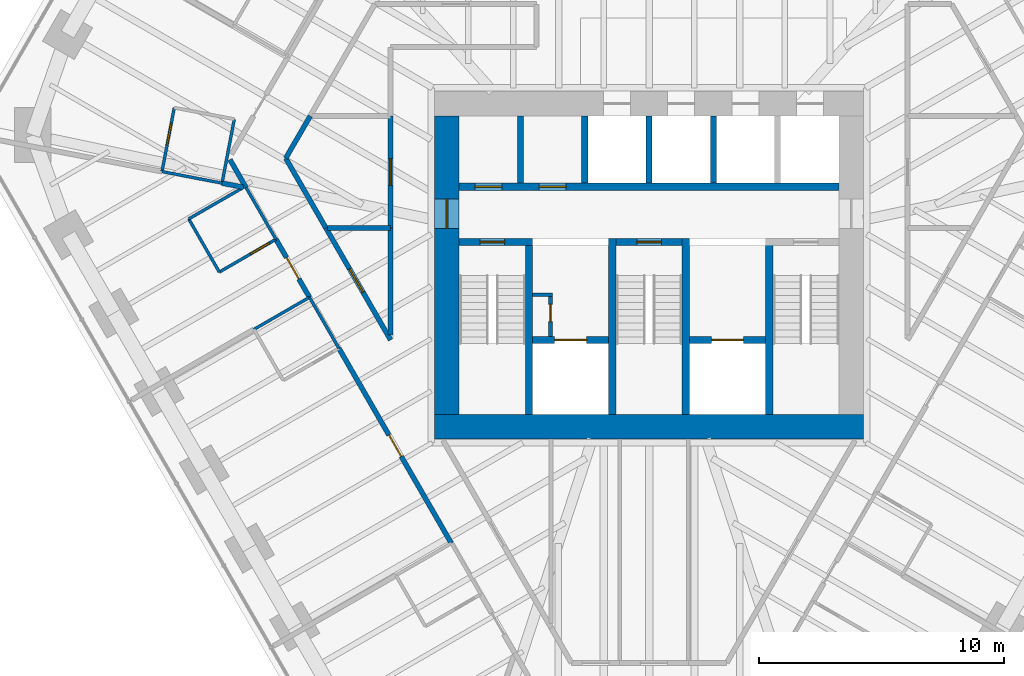
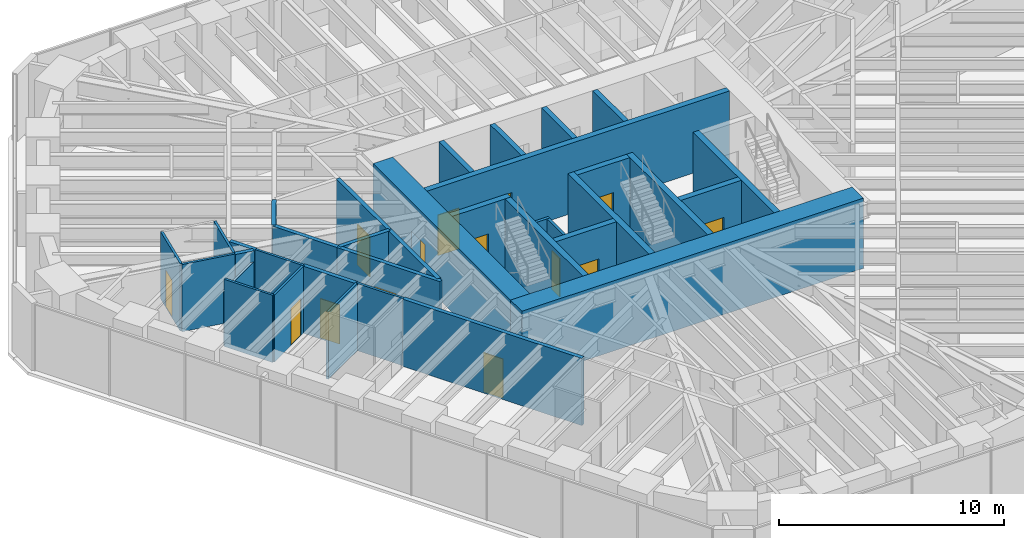
# One storey, part 12 of 17: 36 walls, 14 doors, 14 openings.
"""IFC4 building model written with IfcOpenShell, lengths in metres."""

from ifc_helpers import new_model, si_unit, direction, frame, frame_2d, origin, place, context, subcontext, project, spatial, rectangle, extrude, material, layer, layer_set, type_object, element, fill, save


model = new_model("IFC4")

# Units and contexts
model_context = context("Model", 3, precision=1e-05, world=origin(), true_north=direction((0.0, 1.0)))
body_context = subcontext(model_context, "Body", "Model", "MODEL_VIEW")
ifc_project = project(units=[si_unit("LENGTHUNIT", "METRE"), si_unit("AREAUNIT", "SQUARE_METRE"), si_unit("VOLUMEUNIT", "CUBIC_METRE"), si_unit("PLANEANGLEUNIT", "RADIAN"), si_unit("MASSUNIT", "GRAM", prefix="KILO")], contexts=[model_context])

# Site, building, storey
site_placement = place(None, origin())
site = spatial("IfcSite", under=ifc_project, at=site_placement, CompositionType="ELEMENT")
building_placement = place(site_placement, origin())
building = spatial("IfcBuilding", under=site, at=building_placement, Name="Sandreach Pilgrim Tower", CompositionType="ELEMENT")
storey_placement = place(building_placement, frame((0.0, 0.0, 213.60009765625)))
storey = spatial("IfcBuildingStorey", under=building, at=storey_placement, Name="L53", CompositionType="ELEMENT", Elevation=213.60009765625)

# Wall
ifc_material_1 = material(Name="Moisture-resistant gypsum board on steel studs", Category="steel")
ifc_layer_1 = layer(ifc_material_1, 0.1201171875)
ifc_layer_set_1 = layer_set([ifc_layer_1], Name="Bathroom partition 120")
wall_type_1 = type_object("IfcWallType", Name="Bathroom partition 120", PredefinedType="PARTITIONING", material=ifc_layer_set_1)
wall_1_placement = place(storey_placement, frame((-19.88134765625, 3.82275390625, 0.0), z_axis=(0.0, 0.0, 1.0), x_axis=(0.981896775229, -0.189416796496, 0.0)))
element("IfcWall", 1, at=wall_1_placement, inside=storey, type_object=wall_type_1, Name="Bathroom partition L53-003", PredefinedType="PARTITIONING", context=body_context, shape_type="SweptSolid", body=[
    extrude(rectangle(XDim=2.49658203125, YDim=0.1201171875, at=frame_2d((1.248291015625, 0.0))), origin(), (0.0, 0.0, 1.0), 3.639892578125),
])

# Wall, opening, door
wall_2_placement = place(storey_placement, frame((-19.3798828125, 6.429931640625, 0.0), z_axis=(0.0, 0.0, 1.0), x_axis=(-0.18885765444, -0.982004473696, 0.0)))
wall_2 = element("IfcWall", 2, at=wall_2_placement, inside=storey, type_object=wall_type_1, Name="Bathroom partition L53-004", PredefinedType="PARTITIONING", context=body_context, shape_type="SweptSolid", body=[
    extrude(rectangle(XDim=2.6474609375, YDim=0.1201171875, at=frame_2d((1.32373046875, 0.0))), origin(), (0.0, 0.0, 1.0), 3.639892578125),
])
opening_1_placement = place(wall_2_placement, frame((0.64990234375, 0.0, 0.0)))
opening_1 = element("IfcOpeningElement", 3, at=opening_1_placement, cuts=wall_2, Name="Opening D09-18B", PredefinedType="OPENING", context=body_context, shape_type="SweptSolid", body=[
    extrude(rectangle(XDim=0.89990234375, YDim=2.030029296875, at=frame_2d((0.449951171875, 1.01513671875))), frame((0.0, 0.06005859375, 0.0), z_axis=(0.0, -1.0, 0.0), x_axis=(1.0, 0.0, 0.0)), (0.0, 0.0, 1.0), 0.1201171875),
])
ifc_material_2 = material(Name="Timber door, steel frame", Category="steel")
door_type_1 = type_object("IfcDoorType", Name="Bathroom door", OperationType="SINGLE_SWING_LEFT", PredefinedType="DOOR", material=ifc_material_2)
door_1_placement = place(opening_1_placement, origin())
door_1 = element("IfcDoor", 4, at=door_1_placement, inside=storey, type_object=door_type_1, Name="Door 5318B", OperationType="SINGLE_SWING_LEFT", OverallHeight=2.030029296875, OverallWidth=0.89990234375, PredefinedType="DOOR", context=body_context, shape_type="SweptSolid", body=[
    extrude(rectangle(XDim=0.89990234375, YDim=2.030029296875, at=frame_2d((0.449951171875, 1.01513671875))), frame((0.0, 0.02490234375, 0.0), z_axis=(0.0, -1.0, 0.0), x_axis=(1.0, 0.0, 0.0)), (0.0, 0.0, 1.0), 0.050048828125),
])
fill(opening_1, door_1)

# Wall
wall_3_placement = place(storey_placement, frame((-18.7900390625, 1.889892578125, 0.0), z_axis=(0.0, 0.0, 1.0), x_axis=(0.499159685399, -0.866510016372, 0.0)))
element("IfcWall", 5, at=wall_3_placement, inside=storey, type_object=wall_type_1, Name="Bathroom partition L53-005", PredefinedType="PARTITIONING", context=body_context, shape_type="SweptSolid", body=[
    extrude(rectangle(XDim=2.504150390625, YDim=0.1201171875, at=frame_2d((1.251953125, 0.0))), origin(), (0.0, 0.0, 1.0), 3.639892578125),
])

# Wall, opening, door
wall_4_placement = place(storey_placement, frame((-17.5400390625, -0.280029296875, 0.0), z_axis=(0.0, 0.0, 1.0), x_axis=(0.86498992408, 0.501789229896, 0.0)))
wall_4 = element("IfcWall", 6, at=wall_4_placement, inside=storey, type_object=wall_type_1, Name="Bathroom partition L53-006", PredefinedType="PARTITIONING", context=body_context, shape_type="SweptSolid", body=[
    extrude(rectangle(XDim=2.670654296875, YDim=0.1201171875, at=frame_2d((1.33544921875, 0.0))), origin(), (0.0, 0.0, 1.0), 3.639892578125),
])
opening_2_placement = place(wall_4_placement, frame((1.470458984375, 0.0, 0.0)))
opening_2 = element("IfcOpeningElement", 7, at=opening_2_placement, cuts=wall_4, Name="Opening D09-17B", PredefinedType="OPENING", context=body_context, shape_type="SweptSolid", body=[
    extrude(rectangle(XDim=0.89990234375, YDim=2.030029296875, at=frame_2d((0.449951171875, 1.01513671875))), frame((0.0, 0.06005859375, 0.0), z_axis=(0.0, -1.0, 0.0), x_axis=(1.0, 0.0, 0.0)), (0.0, 0.0, 1.0), 0.1201171875),
])
door_2_placement = place(opening_2_placement, origin())
door_2 = element("IfcDoor", 8, at=door_2_placement, inside=storey, type_object=door_type_1, Name="Door 5317B", OperationType="SINGLE_SWING_RIGHT", OverallHeight=2.030029296875, OverallWidth=0.89990234375, PredefinedType="DOOR", context=body_context, shape_type="SweptSolid", body=[
    extrude(rectangle(XDim=0.89990234375, YDim=2.030029296875, at=frame_2d((0.449951171875, 1.01513671875))), frame((0.0, 0.02490234375, 0.0), z_axis=(0.0, -1.0, 0.0), x_axis=(1.0, 0.0, 0.0)), (0.0, 0.0, 1.0), 0.050048828125),
])
fill(opening_2, door_2)

# Walls
wall_5_placement = place(storey_placement, frame((-17.429931640625, 3.35009765625, 0.0), z_axis=(0.0, 0.0, 1.0), x_axis=(0.188159009227, 0.982138578433, 0.0)))
element("IfcWall", 9, at=wall_5_placement, inside=storey, type_object=wall_type_1, Name="Bathroom partition L53-007", PredefinedType="PARTITIONING", context=body_context, shape_type="SweptSolid", body=[
    extrude(rectangle(XDim=2.6572265625, YDim=0.1201171875, at=frame_2d((1.32861328125, 0.0))), origin(), (0.0, 0.0, 1.0), 3.639892578125),
])
wall_6_placement = place(storey_placement, frame((-16.623779296875, 3.1376953125, 0.0), z_axis=(0.0, 0.0, 1.0), x_axis=(-0.866525185869, -0.499133351175, 0.0)))
element("IfcWall", 10, at=wall_6_placement, inside=storey, type_object=wall_type_1, Name="Bathroom partition L53-013", PredefinedType="PARTITIONING", context=body_context, shape_type="SweptSolid", body=[
    extrude(rectangle(XDim=2.5, YDim=0.1201171875, at=frame_2d((1.25, 0.0))), origin(), (0.0, 0.0, 1.0), 3.037841796875),
])
wall_7_placement = place(storey_placement, frame((-16.449951171875, 3.169921875, 0.0), z_axis=(0.0, 0.0, 1.0), x_axis=(0.500566296323, -0.865698205488, 0.0)))
element("IfcWall", 11, at=wall_7_placement, inside=storey, type_object=wall_type_1, Name="Bathroom partition L53-014", PredefinedType="PARTITIONING", context=body_context, shape_type="SweptSolid", body=[
    extrude(rectangle(XDim=2.437255859375, YDim=0.1201171875, at=frame_2d((1.21875, 0.0))), origin(), (0.0, 0.0, 1.0), 3.639892578125),
])
wall_8_placement = place(storey_placement, frame((-16.1298828125, -2.6201171875, 0.0), z_axis=(0.0, 0.0, 1.0), x_axis=(0.866114241029, 0.499846097802, 0.0)))
element("IfcWall", 12, at=wall_8_placement, inside=storey, type_object=wall_type_1, Name="Bathroom partition L53-016", PredefinedType="PARTITIONING", context=body_context, shape_type="SweptSolid", body=[
    extrude(rectangle(XDim=2.620849609375, YDim=0.1201171875, at=frame_2d((1.310546875, 0.0))), origin(), (0.0, 0.0, 1.0), 3.639892578125),
])
wall_9_placement = place(storey_placement, frame((-13.860107421875, -1.31005859375, 0.0), z_axis=(0.0, 0.0, 1.0), x_axis=(0.499813401482, -0.866133109688, 0.0)))
element("IfcWall", 13, at=wall_9_placement, inside=storey, type_object=wall_type_1, Name="Bathroom partition L53-026", PredefinedType="PARTITIONING", context=body_context, shape_type="SweptSolid", body=[
    extrude(rectangle(XDim=2.4013671875, YDim=0.1201171875, at=frame_2d((1.20068359375, 0.0))), origin(), (0.0, 0.0, 1.0), 3.639892578125),
])
ifc_material_3 = material(Name="Concrete 10000 psi", Category="concrete")
ifc_layer_2 = layer(ifc_material_3, 0.300048828125)
ifc_layer_set_2 = layer_set([ifc_layer_2], Name="Core inner wall 300")
wall_type_2 = type_object("IfcWallType", Name="Core inner wall 300", PredefinedType="SHEAR", material=ifc_layer_set_2)
for number, where, z_axis, x_axis, name in (
    (14, (-4.89990234375, -6.10009765625, 0.0), (0.0, 0.0, 1.0), (0.0, 1.0, 0.0), "Core wall I0 L53"),
    (15, (-1.5, -6.10009765625, 0.0), (0.0, 0.0, 1.0), (0.0, 1.0, 0.0), "Core wall I1 L53"),
    (16, (1.5, -6.10009765625, 0.0), (0.0, 0.0, 1.0), (0.0, 1.0, 0.0), "Core wall I2 L53"),
    (17, (4.89990234375, -6.10009765625, 0.0), (0.0, 0.0, 1.0), (0.0, 1.0, 0.0), "Core wall I3 L53"),
):
    element("IfcWall", number, at=place(storey_placement, frame(where, z_axis=z_axis, x_axis=x_axis)), inside=storey, type_object=wall_type_2, Name=name, PredefinedType="SHEAR", context=body_context, shape_type="SweptSolid", body=[
        extrude(rectangle(XDim=7.2001953125, YDim=0.300048828125, at=frame_2d((3.60009765625, 0.0))), origin(), (0.0, 0.0, 1.0), 3.7998046875),
    ])

# Wall, opening, door
wall_10_placement = place(storey_placement, frame((-7.75, 0.949951171875, 0.0), z_axis=(0.0, 0.0, 1.0), x_axis=(1.0, 0.0, 0.0)))
wall_10 = element("IfcWall", 18, at=wall_10_placement, inside=storey, type_object=wall_type_2, Name="Core wall SN1 L53", PredefinedType="SHEAR", context=body_context, shape_type="SweptSolid", body=[
    extrude(rectangle(XDim=3.0, YDim=0.300048828125, at=frame_2d((1.5, 0.0))), origin(), (0.0, 0.0, 1.0), 3.7998046875),
])
opening_3_placement = place(wall_10_placement, frame((0.85009765625, 0.0, 0.0)))
opening_3 = element("IfcOpeningElement", 19, at=opening_3_placement, cuts=wall_10, Name="Opening D10S-ST1", PredefinedType="OPENING", context=body_context, shape_type="SweptSolid", body=[
    extrude(rectangle(XDim=1.0, YDim=2.199951171875, at=frame_2d((0.5, 1.10009765625))), frame((0.0, 0.14990234375, 0.0), z_axis=(0.0, -1.0, 0.0), x_axis=(1.0, 0.0, 0.0)), (0.0, 0.0, 1.0), 0.300048828125),
])
ifc_material_4 = material(Name="Steel door and frame", Category="steel")
door_type_2 = type_object("IfcDoorType", Name="Stair door", OperationType="SINGLE_SWING_LEFT", PredefinedType="DOOR", material=ifc_material_4)
door_3_placement = place(opening_3_placement, origin())
door_3 = element("IfcDoor", 20, at=door_3_placement, inside=storey, type_object=door_type_2, Name="Stair door ST1 L53", OperationType="SINGLE_SWING_LEFT", OverallHeight=2.199951171875, OverallWidth=1.0, PredefinedType="DOOR", context=body_context, shape_type="SweptSolid", body=[
    extrude(rectangle(XDim=1.0, YDim=2.199951171875, at=frame_2d((0.5, 1.10009765625))), frame((0.0, 0.02490234375, 0.0), z_axis=(0.0, -1.0, 0.0), x_axis=(1.0, 0.0, 0.0)), (0.0, 0.0, 1.0), 0.050048828125),
])
fill(opening_3, door_3)

wall_11_placement = place(storey_placement, frame((-1.35009765625, 0.949951171875, 0.0), z_axis=(0.0, 0.0, 1.0), x_axis=(1.0, 0.0, 0.0)))
wall_11 = element("IfcWall", 21, at=wall_11_placement, inside=storey, type_object=wall_type_2, Name="Core wall SN3 L53", PredefinedType="SHEAR", context=body_context, shape_type="SweptSolid", body=[
    extrude(rectangle(XDim=2.7001953125, YDim=0.300048828125, at=frame_2d((1.35009765625, 0.0))), origin(), (0.0, 0.0, 1.0), 3.7998046875),
])
opening_4_placement = place(wall_11_placement, frame((0.85009765625, 0.0, 0.0)))
opening_4 = element("IfcOpeningElement", 22, at=opening_4_placement, cuts=wall_11, Name="Opening D10S-ST3", PredefinedType="OPENING", context=body_context, shape_type="SweptSolid", body=[
    extrude(rectangle(XDim=1.0, YDim=2.199951171875, at=frame_2d((0.5, 1.10009765625))), frame((0.0, 0.14990234375, 0.0), z_axis=(0.0, -1.0, 0.0), x_axis=(1.0, 0.0, 0.0)), (0.0, 0.0, 1.0), 0.300048828125),
])
door_4_placement = place(opening_4_placement, origin())
door_4 = element("IfcDoor", 23, at=door_4_placement, inside=storey, type_object=door_type_2, Name="Stair door ST3 L53", OperationType="SINGLE_SWING_LEFT", OverallHeight=2.199951171875, OverallWidth=1.0, PredefinedType="DOOR", context=body_context, shape_type="SweptSolid", body=[
    extrude(rectangle(XDim=1.0, YDim=2.199951171875, at=frame_2d((0.5, 1.10009765625))), frame((0.0, 0.02490234375, 0.0), z_axis=(0.0, -1.0, 0.0), x_axis=(1.0, 0.0, 0.0)), (0.0, 0.0, 1.0), 0.050048828125),
])
fill(opening_4, door_4)

wall_12_placement = place(storey_placement, frame((-4.75, -3.050048828125, 0.0), z_axis=(0.0, 0.0, 1.0), x_axis=(1.0, 0.0, 0.0)))
wall_12 = element("IfcWall", 24, at=wall_12_placement, inside=storey, type_object=wall_type_2, Name="Core wall FL1 L53", PredefinedType="SHEAR", context=body_context, shape_type="SweptSolid", body=[
    extrude(rectangle(XDim=3.10009765625, YDim=0.300048828125, at=frame_2d((1.550048828125, 0.0))), origin(), (0.0, 0.0, 1.0), 3.7998046875),
])
opening_5_placement = place(wall_12_placement, frame((0.89990234375, 0.0, 0.0)))
opening_5 = element("IfcOpeningElement", 25, at=opening_5_placement, cuts=wall_12, Name="Opening LD13", PredefinedType="OPENING", context=body_context, shape_type="SweptSolid", body=[
    extrude(rectangle(XDim=1.300048828125, YDim=2.10009765625, at=frame_2d((0.64990234375, 1.050048828125))), frame((0.0, 0.14990234375, 0.0), z_axis=(0.0, -1.0, 0.0), x_axis=(1.0, 0.0, 0.0)), (0.0, 0.0, 1.0), 0.300048828125),
])
ifc_material_5 = material(Name="Steel door and frame", Category="steel")
door_type_3 = type_object("IfcDoorType", Name="Fire service lift landing door", OperationType="DOUBLE_DOOR_SLIDING", PredefinedType="DOOR", material=ifc_material_5)
door_5_placement = place(opening_5_placement, origin())
door_5 = element("IfcDoor", 26, at=door_5_placement, inside=storey, type_object=door_type_3, Name="Lift landing door FS1 L53", OperationType="DOUBLE_DOOR_SLIDING", OverallHeight=2.10009765625, OverallWidth=1.300048828125, PredefinedType="DOOR", context=body_context, shape_type="SweptSolid", body=[
    extrude(rectangle(XDim=1.300048828125, YDim=2.10009765625, at=frame_2d((0.64990234375, 1.050048828125))), frame((0.0, 0.02490234375, 0.0), z_axis=(0.0, -1.0, 0.0), x_axis=(1.0, 0.0, 0.0)), (0.0, 0.0, 1.0), 0.050048828125),
])
fill(opening_5, door_5)

wall_13_placement = place(storey_placement, frame((1.64990234375, -3.050048828125, 0.0), z_axis=(0.0, 0.0, 1.0), x_axis=(1.0, 0.0, 0.0)))
wall_13 = element("IfcWall", 27, at=wall_13_placement, inside=storey, type_object=wall_type_2, Name="Core wall FL2 L53", PredefinedType="SHEAR", context=body_context, shape_type="SweptSolid", body=[
    extrude(rectangle(XDim=3.10009765625, YDim=0.300048828125, at=frame_2d((1.550048828125, 0.0))), origin(), (0.0, 0.0, 1.0), 3.7998046875),
])
opening_6_placement = place(wall_13_placement, frame((0.89990234375, 0.0, 0.0)))
opening_6 = element("IfcOpeningElement", 28, at=opening_6_placement, cuts=wall_13, Name="Opening LD13", PredefinedType="OPENING", context=body_context, shape_type="SweptSolid", body=[
    extrude(rectangle(XDim=1.300048828125, YDim=2.10009765625, at=frame_2d((0.64990234375, 1.050048828125))), frame((0.0, 0.14990234375, 0.0), z_axis=(0.0, -1.0, 0.0), x_axis=(1.0, 0.0, 0.0)), (0.0, 0.0, 1.0), 0.300048828125),
])
door_6_placement = place(opening_6_placement, origin())
door_6 = element("IfcDoor", 29, at=door_6_placement, inside=storey, type_object=door_type_3, Name="Lift landing door FS2 L53", OperationType="DOUBLE_DOOR_SLIDING", OverallHeight=2.10009765625, OverallWidth=1.300048828125, PredefinedType="DOOR", context=body_context, shape_type="SweptSolid", body=[
    extrude(rectangle(XDim=1.300048828125, YDim=2.10009765625, at=frame_2d((0.64990234375, 1.050048828125))), frame((0.0, 0.02490234375, 0.0), z_axis=(0.0, -1.0, 0.0), x_axis=(1.0, 0.0, 0.0)), (0.0, 0.0, 1.0), 0.050048828125),
])
fill(opening_6, door_6)

# Wall, openings, doors
wall_14_placement = place(storey_placement, frame((-7.75, 3.199951171875, 0.0), z_axis=(0.0, 0.0, 1.0), x_axis=(1.0, 0.0, 0.0)))
wall_14 = element("IfcWall", 30, at=wall_14_placement, inside=storey, type_object=wall_type_2, Name="Core wall PN L53", PredefinedType="SHEAR", context=body_context, shape_type="SweptSolid", body=[
    extrude(rectangle(XDim=15.5, YDim=0.300048828125, at=frame_2d((7.75, 0.0))), origin(), (0.0, 0.0, 1.0), 3.7998046875),
])
opening_7_placement = place(wall_14_placement, frame((0.637451171875, 0.0, 0.0)))
opening_7 = element("IfcOpeningElement", 31, at=opening_7_placement, cuts=wall_14, Name="Opening D11L", PredefinedType="OPENING", context=body_context, shape_type="SweptSolid", body=[
    extrude(rectangle(XDim=1.10009765625, YDim=2.199951171875, at=frame_2d((0.550048828125, 1.10009765625))), frame((0.0, 0.14990234375, 0.0), z_axis=(0.0, -1.0, 0.0), x_axis=(1.0, 0.0, 0.0)), (0.0, 0.0, 1.0), 0.300048828125),
])
opening_8_placement = place(wall_14_placement, frame((3.262451171875, 0.0, 0.0)))
opening_8 = element("IfcOpeningElement", 32, at=opening_8_placement, cuts=wall_14, Name="Opening D11L", PredefinedType="OPENING", context=body_context, shape_type="SweptSolid", body=[
    extrude(rectangle(XDim=1.10009765625, YDim=2.199951171875, at=frame_2d((0.550048828125, 1.10009765625))), frame((0.0, 0.14990234375, 0.0), z_axis=(0.0, -1.0, 0.0), x_axis=(1.0, 0.0, 0.0)), (0.0, 0.0, 1.0), 0.300048828125),
])
ifc_material_6 = material(Name="Steel door and frame, smoke seals", Category="steel")
door_type_4 = type_object("IfcDoorType", Name="Core room door", OperationType="SINGLE_SWING_LEFT", PredefinedType="DOOR", material=ifc_material_6)
door_7_placement = place(opening_7_placement, origin())
door_7 = element("IfcDoor", 33, at=door_7_placement, inside=storey, type_object=door_type_4, Name="Door guest pantry 53K1", OperationType="SINGLE_SWING_LEFT", OverallHeight=2.199951171875, OverallWidth=1.10009765625, PredefinedType="DOOR", context=body_context, shape_type="SweptSolid", body=[
    extrude(rectangle(XDim=1.10009765625, YDim=2.199951171875, at=frame_2d((0.550048828125, 1.10009765625))), frame((0.0, 0.02490234375, 0.0), z_axis=(0.0, -1.0, 0.0), x_axis=(1.0, 0.0, 0.0)), (0.0, 0.0, 1.0), 0.050048828125),
])
fill(opening_7, door_7)
door_8_placement = place(opening_8_placement, origin())
door_8 = element("IfcDoor", 34, at=door_8_placement, inside=storey, type_object=door_type_4, Name="Door it room 53K2", OperationType="SINGLE_SWING_LEFT", OverallHeight=2.199951171875, OverallWidth=1.10009765625, PredefinedType="DOOR", context=body_context, shape_type="SweptSolid", body=[
    extrude(rectangle(XDim=1.10009765625, YDim=2.199951171875, at=frame_2d((0.550048828125, 1.10009765625))), frame((0.0, 0.02490234375, 0.0), z_axis=(0.0, -1.0, 0.0), x_axis=(1.0, 0.0, 0.0)), (0.0, 0.0, 1.0), 0.050048828125),
])
fill(opening_8, door_8)

# Wall
ifc_material_7 = material(Name="Concrete 10000 psi", Category="concrete")
ifc_layer_3 = layer(ifc_material_7, 1.0)
ifc_layer_set_3 = layer_set([ifc_layer_3], Name="Core wall 1000")
wall_type_3 = type_object("IfcWallType", Name="Core wall 1000", PredefinedType="SHEAR", material=ifc_layer_set_3)
wall_15_placement = place(storey_placement, frame((-8.75, -6.60009765625, 0.0), z_axis=(0.0, 0.0, 1.0), x_axis=(1.0, 0.0, 0.0)))
element("IfcWall", 35, at=wall_15_placement, inside=storey, type_object=wall_type_3, Name="Core wall S L53", PredefinedType="SHEAR", context=body_context, shape_type="SweptSolid", body=[
    extrude(rectangle(XDim=17.5, YDim=1.0, at=frame_2d((8.75, 0.0))), origin(), (0.0, 0.0, 1.0), 3.7998046875),
])

# Wall, opening, door
wall_16_placement = place(storey_placement, frame((-8.25, -6.10009765625, 0.0), z_axis=(0.0, 0.0, 1.0), x_axis=(0.0, 1.0, 0.0)))
wall_16 = element("IfcWall", 36, at=wall_16_placement, inside=storey, type_object=wall_type_3, Name="Core wall W L53", PredefinedType="SHEAR", context=body_context, shape_type="SweptSolid", body=[
    extrude(rectangle(XDim=12.2001953125, YDim=1.0, at=frame_2d((6.10009765625, 0.0))), origin(), (0.0, 0.0, 1.0), 3.7998046875),
])
opening_9_placement = place(wall_16_placement, frame((7.60009765625, 0.0, 0.0)))
opening_9 = element("IfcOpeningElement", 37, at=opening_9_placement, cuts=wall_16, Name="Opening D12F-W", PredefinedType="OPENING", context=body_context, shape_type="SweptSolid", body=[
    extrude(rectangle(XDim=1.199951171875, YDim=2.199951171875, at=frame_2d((0.60009765625, 1.10009765625))), frame((0.0, 0.5, 0.0), z_axis=(0.0, -1.0, 0.0), x_axis=(1.0, 0.0, 0.0)), (0.0, 0.0, 1.0), 1.0),
])
ifc_material_8 = material(Name="Steel door and frame", Category="steel")
door_type_5 = type_object("IfcDoorType", Name="Fire lobby door", OperationType="SINGLE_SWING_LEFT", PredefinedType="DOOR", material=ifc_material_8)
door_9_placement = place(opening_9_placement, origin())
door_9 = element("IfcDoor", 38, at=door_9_placement, inside=storey, type_object=door_type_5, Name="Fire service lobby door W L53", OperationType="SINGLE_SWING_RIGHT", OverallHeight=2.199951171875, OverallWidth=1.199951171875, PredefinedType="DOOR", context=body_context, shape_type="SweptSolid", body=[
    extrude(rectangle(XDim=1.199951171875, YDim=2.199951171875, at=frame_2d((0.60009765625, 1.10009765625))), frame((0.0, 0.02490234375, 0.0), z_axis=(0.0, -1.0, 0.0), x_axis=(1.0, 0.0, 0.0)), (0.0, 0.0, 1.0), 0.050048828125),
])
fill(opening_9, door_9)

# Wall
ifc_material_9 = material(Name="Gypsum board on steel studs, two layers each side", Category="steel")
ifc_layer_4 = layer(ifc_material_9, 0.199951171875)
ifc_layer_set_4 = layer_set([ifc_layer_4], Name="Corridor wall 200")
wall_type_4 = type_object("IfcWallType", Name="Corridor wall 200", PredefinedType="PARTITIONING", material=ifc_layer_set_4)
wall_17_placement = place(storey_placement, frame((-17.107666015625, 4.313720703125, 0.0), z_axis=(0.0, 0.0, 1.0), x_axis=(0.498488506644, -0.866896307954, 0.0)))
element("IfcWall", 39, at=wall_17_placement, inside=storey, type_object=wall_type_4, Name="Corridor wall L53-009", PredefinedType="PARTITIONING", context=body_context, shape_type="SweptSolid", body=[
    extrude(rectangle(XDim=1.3193359375, YDim=0.199951171875, at=frame_2d((0.65966796875, 0.0))), origin(), (0.0, 0.0, 1.0), 3.639892578125),
])

# Wall, opening, door
wall_18_placement = place(storey_placement, frame((-15.22998046875, 1.06005859375, 0.0), z_axis=(0.0, 0.0, 1.0), x_axis=(0.500406860043, -0.865790375565, 0.0)))
wall_18 = element("IfcWall", 40, at=wall_18_placement, inside=storey, type_object=wall_type_4, Name="Corridor wall L53-019", PredefinedType="PARTITIONING", context=body_context, shape_type="SweptSolid", body=[
    extrude(rectangle(XDim=2.737548828125, YDim=0.199951171875, at=frame_2d((1.36865234375, 0.0))), origin(), (0.0, 0.0, 1.0), 3.639892578125),
])
opening_10_placement = place(wall_18_placement, frame((0.86865234375, 0.0, 0.0)))
opening_10 = element("IfcOpeningElement", 41, at=opening_10_placement, cuts=wall_18, Name="Opening D10-17", PredefinedType="OPENING", context=body_context, shape_type="SweptSolid", body=[
    extrude(rectangle(XDim=1.0, YDim=2.1298828125, at=frame_2d((0.5, 1.06494140625))), frame((0.0, 0.10009765625, 0.0), z_axis=(0.0, -1.0, 0.0), x_axis=(1.0, 0.0, 0.0)), (0.0, 0.0, 1.0), 0.199951171875),
])
ifc_material_10 = material(Name="Steel door and frame", Category="steel")
door_type_6 = type_object("IfcDoorType", Name="Guest room entry door", OperationType="SINGLE_SWING_LEFT", PredefinedType="DOOR", material=ifc_material_10)
door_10_placement = place(opening_10_placement, origin())
door_10 = element("IfcDoor", 42, at=door_10_placement, inside=storey, type_object=door_type_6, Name="Door 5317", OperationType="SINGLE_SWING_LEFT", OverallHeight=2.1298828125, OverallWidth=1.0, PredefinedType="DOOR", context=body_context, shape_type="SweptSolid", body=[
    extrude(rectangle(XDim=1.0, YDim=2.1298828125, at=frame_2d((0.5, 1.06494140625))), frame((0.0, 0.02490234375, 0.0), z_axis=(0.0, -1.0, 0.0), x_axis=(1.0, 0.0, 0.0)), (0.0, 0.0, 1.0), 0.050048828125),
])
fill(opening_10, door_10)

# Walls
wall_19_placement = place(storey_placement, frame((-14.830078125, 4.3701171875, 0.0), z_axis=(0.0, 0.0, 1.0), x_axis=(0.502626855825, 0.864503466623, 0.0)))
element("IfcWall", 43, at=wall_19_placement, inside=storey, type_object=wall_type_4, Name="Corridor wall L53-022", PredefinedType="PARTITIONING", context=body_context, shape_type="SweptSolid", body=[
    extrude(rectangle(XDim=1.989501953125, YDim=0.199951171875, at=frame_2d((0.99462890625, 0.0))), origin(), (0.0, 0.0, 1.0), 3.639892578125),
])
wall_20_placement = place(storey_placement, frame((-13.18994140625, 1.52001953125, 0.0), z_axis=(0.0, 0.0, 1.0), x_axis=(-0.498775186059, 0.866731396554, 0.0)))
element("IfcWall", 44, at=wall_20_placement, inside=storey, type_object=wall_type_4, Name="Corridor wall L53-030", PredefinedType="PARTITIONING", context=body_context, shape_type="SweptSolid", body=[
    extrude(rectangle(XDim=3.288330078125, YDim=0.199951171875, at=frame_2d((1.64404296875, 0.0))), origin(), (0.0, 0.0, 1.0), 3.639892578125),
])

# Wall, opening, door
wall_21_placement = place(storey_placement, frame((-12.659912109375, -3.389892578125, 0.0), z_axis=(0.0, 0.0, 1.0), x_axis=(0.499511590934, -0.866307203319, 0.0)))
wall_21 = element("IfcWall", 45, at=wall_21_placement, inside=storey, type_object=wall_type_4, Name="Corridor wall L53-031", PredefinedType="PARTITIONING", context=body_context, shape_type="SweptSolid", body=[
    extrude(rectangle(XDim=9.188720703125, YDim=0.199951171875, at=frame_2d((4.59423828125, 0.0))), origin(), (0.0, 0.0, 1.0), 3.639892578125),
])
opening_11_placement = place(wall_21_placement, frame((4.09423828125, 0.0, 0.0)))
opening_11 = element("IfcOpeningElement", 46, at=opening_11_placement, cuts=wall_21, Name="Opening D10-16", PredefinedType="OPENING", context=body_context, shape_type="SweptSolid", body=[
    extrude(rectangle(XDim=1.0, YDim=2.1298828125, at=frame_2d((0.5, 1.06494140625))), frame((0.0, 0.10009765625, 0.0), z_axis=(0.0, -1.0, 0.0), x_axis=(1.0, 0.0, 0.0)), (0.0, 0.0, 1.0), 0.199951171875),
])
door_11_placement = place(opening_11_placement, origin())
door_11 = element("IfcDoor", 47, at=door_11_placement, inside=storey, type_object=door_type_6, Name="Door 5316", OperationType="SINGLE_SWING_LEFT", OverallHeight=2.1298828125, OverallWidth=1.0, PredefinedType="DOOR", context=body_context, shape_type="SweptSolid", body=[
    extrude(rectangle(XDim=1.0, YDim=2.1298828125, at=frame_2d((0.5, 1.06494140625))), frame((0.0, 0.02490234375, 0.0), z_axis=(0.0, -1.0, 0.0), x_axis=(1.0, 0.0, 0.0)), (0.0, 0.0, 1.0), 0.050048828125),
])
fill(opening_11, door_11)

wall_22_placement = place(storey_placement, frame((-10.550048828125, -3.050048828125, 0.0), z_axis=(0.0, 0.0, 1.0), x_axis=(-0.500193590286, 0.865913605527, 0.0)))
wall_22 = element("IfcWall", 48, at=wall_22_placement, inside=storey, type_object=wall_type_4, Name="Corridor wall L53-036", PredefinedType="PARTITIONING", context=body_context, shape_type="SweptSolid", body=[
    extrude(rectangle(XDim=5.27783203125, YDim=0.199951171875, at=frame_2d((2.638916015625, 0.0))), origin(), (0.0, 0.0, 1.0), 3.639892578125),
])
opening_12_placement = place(wall_22_placement, frame((2.25, 0.0, 0.0)))
opening_12 = element("IfcOpeningElement", 49, at=opening_12_placement, cuts=wall_22, Name="Opening D11H-M02", PredefinedType="OPENING", context=body_context, shape_type="SweptSolid", body=[
    extrude(rectangle(XDim=1.10009765625, YDim=2.199951171875, at=frame_2d((0.550048828125, 1.10009765625))), frame((0.0, 0.10009765625, 0.0), z_axis=(0.0, -1.0, 0.0), x_axis=(1.0, 0.0, 0.0)), (0.0, 0.0, 1.0), 0.199951171875),
])
ifc_material_11 = material(Name="Steel door and frame", Category="steel")
door_type_7 = type_object("IfcDoorType", Name="Back of house door", OperationType="SINGLE_SWING_LEFT", PredefinedType="DOOR", material=ifc_material_11)
door_12_placement = place(opening_12_placement, origin())
door_12 = element("IfcDoor", 50, at=door_12_placement, inside=storey, type_object=door_type_7, Name="Door 53M02", OperationType="SINGLE_SWING_RIGHT", OverallHeight=2.199951171875, OverallWidth=1.10009765625, PredefinedType="DOOR", context=body_context, shape_type="SweptSolid", body=[
    extrude(rectangle(XDim=1.10009765625, YDim=2.199951171875, at=frame_2d((0.550048828125, 1.10009765625))), frame((0.0, 0.02490234375, 0.0), z_axis=(0.0, -1.0, 0.0), x_axis=(1.0, 0.0, 0.0)), (0.0, 0.0, 1.0), 0.050048828125),
])
fill(opening_12, door_12)

# Wall
wall_23_placement = place(storey_placement, frame((-10.550048828125, 1.52001953125, 0.0), z_axis=(0.0, 0.0, 1.0), x_axis=(0.0, -1.0, 0.0)))
element("IfcWall", 51, at=wall_23_placement, inside=storey, type_object=wall_type_4, Name="Corridor wall L53-037", PredefinedType="PARTITIONING", context=body_context, shape_type="SweptSolid", body=[
    extrude(rectangle(XDim=4.375, YDim=0.199951171875, at=frame_2d((2.1875, 0.0))), origin(), (0.0, 0.0, 1.0), 3.639892578125),
])

# Wall, opening, door
wall_24_placement = place(storey_placement, frame((-10.550048828125, 6.090087890625, 0.0), z_axis=(0.0, 0.0, 1.0), x_axis=(0.0, -1.0, 0.0)))
wall_24 = element("IfcWall", 52, at=wall_24_placement, inside=storey, type_object=wall_type_4, Name="Corridor wall L53-038", PredefinedType="PARTITIONING", context=body_context, shape_type="SweptSolid", body=[
    extrude(rectangle(XDim=4.570068359375, YDim=0.199951171875, at=frame_2d((2.28515625, 0.0))), origin(), (0.0, 0.0, 1.0), 3.639892578125),
])
opening_13_placement = place(wall_24_placement, frame((1.735107421875, 0.0, 0.0)))
opening_13 = element("IfcOpeningElement", 53, at=opening_13_placement, cuts=wall_24, Name="Opening D11H-M01", PredefinedType="OPENING", context=body_context, shape_type="SweptSolid", body=[
    extrude(rectangle(XDim=1.10009765625, YDim=2.199951171875, at=frame_2d((0.550048828125, 1.10009765625))), frame((0.0, 0.10009765625, 0.0), z_axis=(0.0, -1.0, 0.0), x_axis=(1.0, 0.0, 0.0)), (0.0, 0.0, 1.0), 0.199951171875),
])
door_13_placement = place(opening_13_placement, origin())
door_13 = element("IfcDoor", 54, at=door_13_placement, inside=storey, type_object=door_type_7, Name="Door 53M01", OperationType="SINGLE_SWING_LEFT", OverallHeight=2.199951171875, OverallWidth=1.10009765625, PredefinedType="DOOR", context=body_context, shape_type="SweptSolid", body=[
    extrude(rectangle(XDim=1.10009765625, YDim=2.199951171875, at=frame_2d((0.550048828125, 1.10009765625))), frame((0.0, 0.02490234375, 0.0), z_axis=(0.0, -1.0, 0.0), x_axis=(1.0, 0.0, 0.0)), (0.0, 0.0, 1.0), 0.050048828125),
])
fill(opening_13, door_13)

# Walls
ifc_material_12 = material(Name="Double steel stud acoustic wall, gypsum board", Category="steel")
ifc_layer_5 = layer(ifc_material_12, 0.199951171875)
ifc_layer_set_5 = layer_set([ifc_layer_5], Name="Party wall 200")
wall_type_5 = type_object("IfcWallType", Name="Party wall 200", PredefinedType="PARTITIONING", material=ifc_layer_set_5)
wall_25_placement = place(storey_placement, frame((-17.429931640625, 3.349853515625, 0.0), z_axis=(0.0, 0.0, 1.0), x_axis=(0.981858463983, -0.189615286052, 0.0)))
element("IfcWall", 55, at=wall_25_placement, inside=storey, type_object=wall_type_5, Name="Party wall L53-008", PredefinedType="PARTITIONING", context=body_context, shape_type="SweptSolid", body=[
    extrude(rectangle(XDim=0.896240234375, YDim=0.199951171875, at=frame_2d((0.4482421875, 0.0))), origin(), (0.0, 0.0, 1.0), 3.639892578125),
])
wall_26_placement = place(storey_placement, frame((-10.56005859375, 1.52001953125, 0.0), z_axis=(0.0, 0.0, 1.0), x_axis=(-1.0, 0.0, 0.0)))
element("IfcWall", 56, at=wall_26_placement, inside=storey, type_object=wall_type_5, Name="Party wall L53-035", PredefinedType="PARTITIONING", context=body_context, shape_type="SweptSolid", body=[
    extrude(rectangle(XDim=2.56005859375, YDim=0.199951171875, at=frame_2d((1.280029296875, 0.0))), origin(), (0.0, 0.0, 1.0), 3.639892578125),
])

# Wall, opening, door
ifc_material_13 = material(Name="Gypsum shaft wall on steel studs, shaft liner board", Category="steel")
ifc_layer_6 = layer(ifc_material_13, 0.14990234375)
ifc_layer_set_6 = layer_set([ifc_layer_6], Name="Riser shaft wall 150")
wall_type_6 = type_object("IfcWallType", Name="Riser shaft wall 150", PredefinedType="PARTITIONING", material=ifc_layer_set_6)
wall_27_placement = place(storey_placement, frame((-4.02490234375, -2.89990234375, 0.0), z_axis=(0.0, 0.0, 1.0), x_axis=(0.0, 1.0, 0.0)))
wall_27 = element("IfcWall", 57, at=wall_27_placement, inside=storey, type_object=wall_type_6, Name="Riser partition L53 side", PredefinedType="PARTITIONING", context=body_context, shape_type="SweptSolid", body=[
    extrude(rectangle(XDim=1.77490234375, YDim=0.14990234375, at=frame_2d((0.887451171875, 0.0))), origin(), (0.0, 0.0, 1.0), 3.639892578125),
])
opening_14_placement = place(wall_27_placement, frame((0.60009765625, 0.0, 0.0)))
opening_14 = element("IfcOpeningElement", 58, at=opening_14_placement, cuts=wall_27, Name="Opening D07R", PredefinedType="OPENING", context=body_context, shape_type="SweptSolid", body=[
    extrude(rectangle(XDim=0.699951171875, YDim=2.10009765625, at=frame_2d((0.35009765625, 1.050048828125))), frame((0.0, 0.074951171875, 0.0), z_axis=(0.0, -1.0, 0.0), x_axis=(1.0, 0.0, 0.0)), (0.0, 0.0, 1.0), 0.14990234375),
])
ifc_material_14 = material(Name="Steel door and frame, smoke seals", Category="steel")
door_type_8 = type_object("IfcDoorType", Name="Riser access door", OperationType="SINGLE_SWING_RIGHT", PredefinedType="DOOR", material=ifc_material_14)
door_14_placement = place(opening_14_placement, origin())
door_14 = element("IfcDoor", 59, at=door_14_placement, inside=storey, type_object=door_type_8, Name="Door riser 53ER", OperationType="SINGLE_SWING_RIGHT", OverallHeight=2.10009765625, OverallWidth=0.699951171875, PredefinedType="DOOR", context=body_context, shape_type="SweptSolid", body=[
    extrude(rectangle(XDim=0.699951171875, YDim=2.10009765625, at=frame_2d((0.35009765625, 1.050048828125))), frame((0.0, 0.02490234375, 0.0), z_axis=(0.0, -1.0, 0.0), x_axis=(1.0, 0.0, 0.0)), (0.0, 0.0, 1.0), 0.050048828125),
])
fill(opening_14, door_14)

# Walls
wall_28_placement = place(storey_placement, frame((-4.75, -1.199951171875, 0.0), z_axis=(0.0, 0.0, 1.0), x_axis=(1.0, 0.0, 0.0)))
element("IfcWall", 60, at=wall_28_placement, inside=storey, type_object=wall_type_6, Name="Riser partition L53 front", PredefinedType="PARTITIONING", context=body_context, shape_type="SweptSolid", body=[
    extrude(rectangle(XDim=0.800048828125, YDim=0.14990234375, at=frame_2d((0.39990234375, 0.0))), origin(), (0.0, 0.0, 1.0), 3.639892578125),
])
ifc_material_15 = material(Name="Gypsum shaft wall on steel studs, two layers of shaft liner board", Category="steel")
ifc_layer_7 = layer(ifc_material_15, 0.25)
ifc_layer_set_7 = layer_set([ifc_layer_7], Name="Shaft partition 250")
wall_type_7 = type_object("IfcWallType", Name="Shaft partition 250", PredefinedType="PARTITIONING", material=ifc_layer_set_7)
for number, where, z_axis, x_axis, name in (
    (61, (-5.25, 3.35009765625, 0.0), (0.0, 0.0, 1.0), (0.0, 1.0, 0.0), "Shaft partition NS0 L53"),
    (62, (-2.625, 3.35009765625, 0.0), (0.0, 0.0, 1.0), (0.0, 1.0, 0.0), "Shaft partition NS1 L53"),
    (63, (0.0, 3.35009765625, 0.0), (0.0, 0.0, 1.0), (0.0, 1.0, 0.0), "Shaft partition NS2 L53"),
    (64, (2.625, 3.35009765625, 0.0), (0.0, 0.0, 1.0), (0.0, 1.0, 0.0), "Shaft partition NS3 L53"),
):
    element("IfcWall", number, at=place(storey_placement, frame(where, z_axis=z_axis, x_axis=x_axis)), inside=storey, type_object=wall_type_7, Name=name, PredefinedType="PARTITIONING", context=body_context, shape_type="SweptSolid", body=[
        extrude(rectangle(XDim=2.75, YDim=0.25, at=frame_2d((1.375, 0.0))), origin(), (0.0, 0.0, 1.0), 3.7998046875),
    ])

save(model, "model.ifc")
